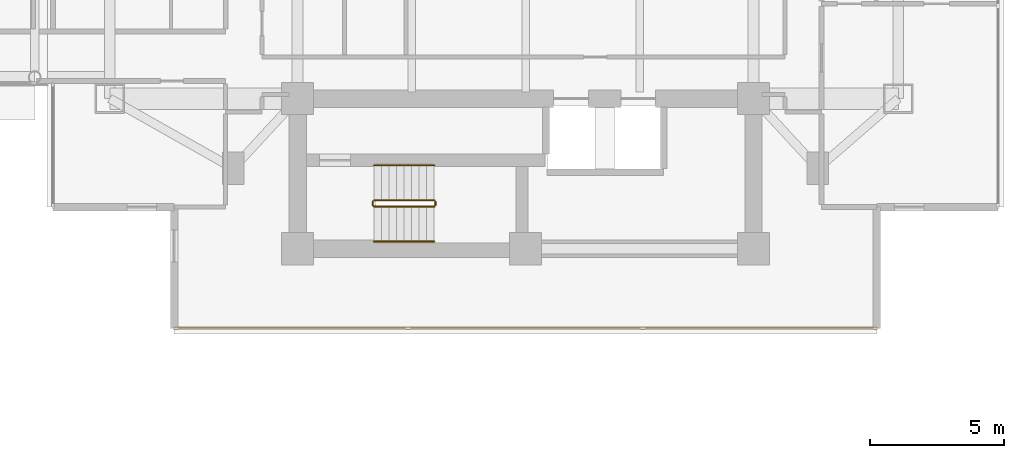
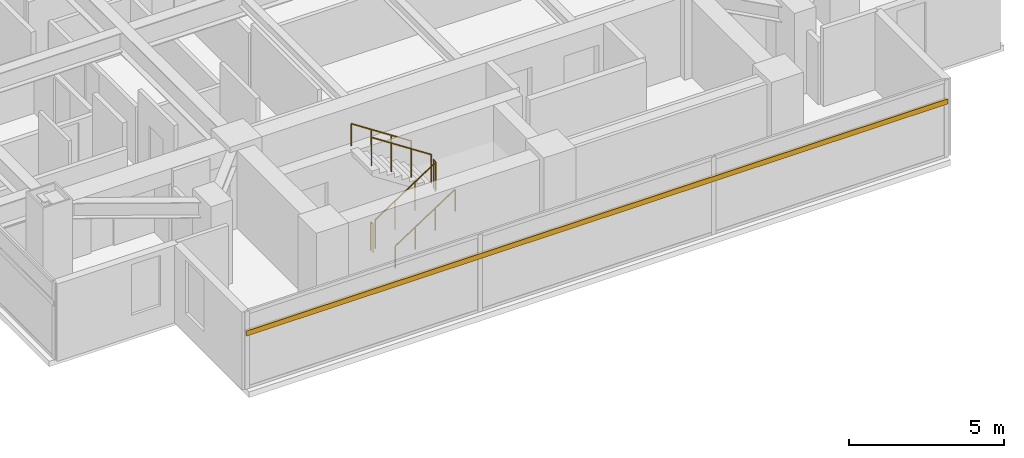
# One storey, part 25 of 27: 6 railings, 1 shading device.
"""IFC4 building model written with IfcOpenShell, lengths in metres."""

from ifc_helpers import new_model, si_unit, direction, frame, origin, origin_2d, place, context, subcontext, project, spatial, rectangle, circle, extrude, material, material_profile, profile_set, type_object, element, save


model = new_model("IFC4")

# Units and contexts
model_context = context("Model", 3, precision=1e-05, world=origin(), true_north=direction((0.0, 1.0)))
body_context = subcontext(model_context, "Body", "Model", "MODEL_VIEW")
ifc_project = project(units=[si_unit("LENGTHUNIT", "METRE"), si_unit("AREAUNIT", "SQUARE_METRE"), si_unit("VOLUMEUNIT", "CUBIC_METRE"), si_unit("PLANEANGLEUNIT", "RADIAN"), si_unit("MASSUNIT", "GRAM", prefix="KILO")], contexts=[model_context])

# Site, building, storey
site_placement = place(None, origin())
site = spatial("IfcSite", under=ifc_project, at=site_placement, CompositionType="ELEMENT")
building_placement = place(site_placement, origin())
building = spatial("IfcBuilding", under=site, at=building_placement, Name="Mirazonda Arch Towers", CompositionType="ELEMENT")
storey_placement = place(building_placement, frame((0.0, 0.0, 95.0)))
storey = spatial("IfcBuildingStorey", under=building, at=storey_placement, Name="L26", CompositionType="ELEMENT", Elevation=95.0)

# Shading device
ifc_material_1 = material(Name="Kiln-Fired Architectural Terracotta", Category="masonry")
ifc_material_profile = material_profile(ifc_material_1, rectangle(XDim=0.10009765625, YDim=0.199951171875, at=origin_2d()), Name="TERRA-BAG-100x200")
ifc_profile_set = profile_set([ifc_material_profile], Name="Kiln-Fired Architectural Terracotta")
shading_device_type = type_object("IfcShadingDeviceType", Name="BAGUETTE-2", PredefinedType="USERDEFINED", material=ifc_profile_set)
shading_device_placement = place(storey_placement, frame((89.602294921875, 12.23583984375, 2.203125), z_axis=(-1.0, 0.0, 0.0), x_axis=(0.0, -1.0, 0.0)))
element("IfcShadingDevice", 1, at=shading_device_placement, inside=storey, type_object=shading_device_type, Name="L26 Glazed Terracotta Sun-Screen Baguette CW-L26-T2-S", ObjectType="BAGUETTE", PredefinedType="USERDEFINED", context=body_context, shape_type="SweptSolid", body=[
    extrude(rectangle(XDim=0.10009765625, YDim=0.199951171875, at=origin_2d()), origin(), (0.0, 0.0, 1.0), 26.20458984375),
])

# Railings
ifc_material_2 = material(Name="Architectural Brushed Steel S355", Category="steel")
railing_type_1 = type_object("IfcRailingType", Name="GUARD-STAIR-1120", PredefinedType="GUARDRAIL", material=ifc_material_2)
railing_1_placement = place(storey_placement, frame((70.85009765625, 16.77001953125, 0.183349609375)))
element("IfcRailing", 2, at=railing_1_placement, inside=storey, type_object=railing_type_1, Name="L26 ST-T2S stair guard 1", PredefinedType="GUARDRAIL", context=body_context, shape_type="SweptSolid", body=[
    extrude(circle(Radius=0.02392578125, at=origin_2d()), frame((0.0, 0.0, 1.1259765625), z_axis=(0.836636935527, 0.0, 0.547757827979), x_axis=(0.0, 1.0, 0.0)), (0.0, 0.0, 1.0), 2.677490234375),
    extrude(circle(Radius=0.02099609375, at=origin_2d()), origin(), (0.0, 0.0, 1.0), 1.101806640625),
    extrude(circle(Radius=0.02099609375, at=origin_2d()), frame((0.74658203125, 0.0, 0.48876953125)), (0.0, 0.0, 1.0), 1.101806640625),
    extrude(circle(Radius=0.02099609375, at=origin_2d()), frame((1.493408203125, 0.0, 0.977783203125)), (0.0, 0.0, 1.0), 1.101806640625),
    extrude(circle(Radius=0.02099609375, at=origin_2d()), frame((2.239990234375, 0.0, 1.466552734375)), (0.0, 0.0, 1.0), 1.101806640625),
])
railing_2_placement = place(storey_placement, frame((73.139892578125, 16.820068359375, 1.64990234375)))
element("IfcRailing", 3, at=railing_2_placement, inside=storey, type_object=railing_type_1, Name="L26 ST-T2S stair guard 2", PredefinedType="GUARDRAIL", context=body_context, shape_type="SweptSolid", body=[
    extrude(circle(Radius=0.02392578125, at=origin_2d()), frame((0.0, 0.0, 1.1259765625), z_axis=(0.0, 1.0, 0.0), x_axis=(-1.0, 0.0, 0.0)), (0.0, 0.0, 1.0), 0.139892578125),
    extrude(circle(Radius=0.02099609375, at=origin_2d()), origin(), (0.0, 0.0, 1.0), 1.101806640625),
    extrude(circle(Radius=0.02099609375, at=origin_2d()), frame((0.0, 0.139892578125, 0.0)), (0.0, 0.0, 1.0), 1.101806640625),
])
railing_3_placement = place(storey_placement, frame((73.090087890625, 17.010009765625, 1.833251953125)))
element("IfcRailing", 4, at=railing_3_placement, inside=storey, type_object=railing_type_1, Name="L26 ST-T2S stair guard 3", PredefinedType="GUARDRAIL", context=body_context, shape_type="SweptSolid", body=[
    extrude(circle(Radius=0.02392578125, at=origin_2d()), frame((0.0, 0.0, 1.1259765625), z_axis=(-0.836595146698, 0.0, 0.547821650285), x_axis=(0.0, -1.0, 0.0)), (0.0, 0.0, 1.0), 2.677490234375),
    extrude(circle(Radius=0.02099609375, at=origin_2d()), origin(), (0.0, 0.0, 1.0), 1.101806640625),
    extrude(circle(Radius=0.02099609375, at=origin_2d()), frame((-0.74658203125, 0.0, 0.489013671875)), (0.0, 0.0, 1.0), 1.101806640625),
    extrude(circle(Radius=0.02099609375, at=origin_2d()), frame((-1.493408203125, 0.0, 0.977783203125)), (0.0, 0.0, 1.0), 1.101806640625),
    extrude(circle(Radius=0.02099609375, at=origin_2d()), frame((-2.239990234375, 0.0, 1.466796875)), (0.0, 0.0, 1.0), 1.101806640625),
])
railing_4_placement = place(storey_placement, frame((70.800048828125, 16.820068359375, 0.0)))
element("IfcRailing", 5, at=railing_4_placement, inside=storey, type_object=railing_type_1, Name="L26 ST-T2S stair guard 4", PredefinedType="GUARDRAIL", context=body_context, shape_type="SweptSolid", body=[
    extrude(circle(Radius=0.02392578125, at=origin_2d()), frame((0.0, 0.0, 1.1259765625), z_axis=(0.0, 1.0, 0.0), x_axis=(-1.0, 0.0, 0.0)), (0.0, 0.0, 1.0), 0.139892578125),
    extrude(circle(Radius=0.02099609375, at=origin_2d()), origin(), (0.0, 0.0, 1.0), 1.101806640625),
    extrude(circle(Radius=0.02099609375, at=origin_2d()), frame((0.0, 0.139892578125, 0.0)), (0.0, 0.0, 1.0), 1.101806640625),
])
railing_type_2 = type_object("IfcRailingType", Name="HANDRAIL-915", PredefinedType="HANDRAIL", material=ifc_material_2)
railing_5_placement = place(storey_placement, frame((70.85009765625, 15.469970703125, 0.183349609375)))
element("IfcRailing", 6, at=railing_5_placement, inside=storey, type_object=railing_type_2, Name="L26 ST-T2S stair handrail 1", PredefinedType="HANDRAIL", context=body_context, shape_type="SweptSolid", body=[
    extrude(circle(Radius=0.02392578125, at=origin_2d()), frame((0.0, 0.0, 0.8759765625), z_axis=(0.836636935527, 0.0, 0.547757827979), x_axis=(0.0, 1.0, 0.0)), (0.0, 0.0, 1.0), 2.677490234375),
    extrude(circle(Radius=0.02099609375, at=origin_2d()), origin(), (0.0, 0.0, 1.0), 0.851806640625),
    extrude(circle(Radius=0.02099609375, at=origin_2d()), frame((0.74658203125, 0.0, 0.48876953125)), (0.0, 0.0, 1.0), 0.851806640625),
    extrude(circle(Radius=0.02099609375, at=origin_2d()), frame((1.493408203125, 0.0, 0.977783203125)), (0.0, 0.0, 1.0), 0.851806640625),
    extrude(circle(Radius=0.02099609375, at=origin_2d()), frame((2.239990234375, 0.0, 1.466552734375)), (0.0, 0.0, 1.0), 0.851806640625),
])
railing_6_placement = place(storey_placement, frame((73.090087890625, 18.31005859375, 1.833251953125)))
element("IfcRailing", 7, at=railing_6_placement, inside=storey, type_object=railing_type_2, Name="L26 ST-T2S stair handrail 2", PredefinedType="HANDRAIL", context=body_context, shape_type="SweptSolid", body=[
    extrude(circle(Radius=0.02392578125, at=origin_2d()), frame((0.0, 0.0, 0.8759765625), z_axis=(-0.836595146698, 0.0, 0.547821650285), x_axis=(0.0, -1.0, 0.0)), (0.0, 0.0, 1.0), 2.677490234375),
    extrude(circle(Radius=0.02099609375, at=origin_2d()), origin(), (0.0, 0.0, 1.0), 0.851806640625),
    extrude(circle(Radius=0.02099609375, at=origin_2d()), frame((-0.74658203125, 0.0, 0.489013671875)), (0.0, 0.0, 1.0), 0.851806640625),
    extrude(circle(Radius=0.02099609375, at=origin_2d()), frame((-1.493408203125, 0.0, 0.977783203125)), (0.0, 0.0, 1.0), 0.851806640625),
    extrude(circle(Radius=0.02099609375, at=origin_2d()), frame((-2.239990234375, 0.0, 1.466796875)), (0.0, 0.0, 1.0), 0.851806640625),
])

save(model, "model.ifc")
